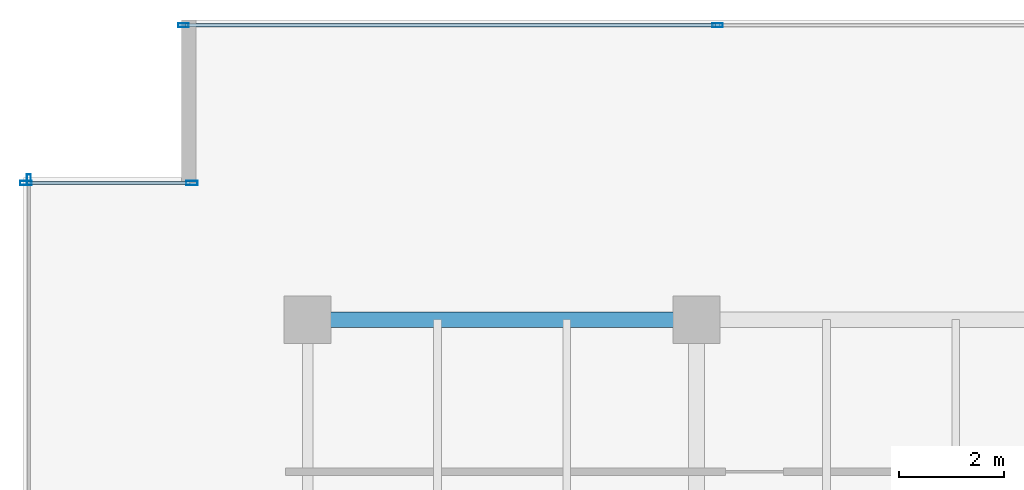
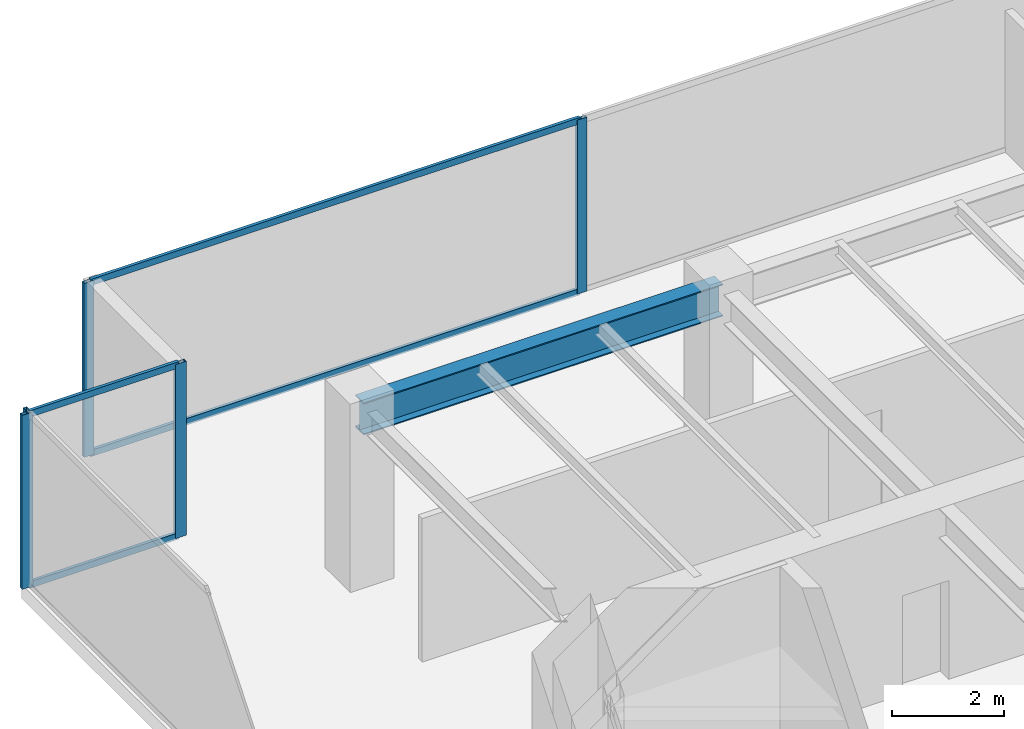
# One storey, part 14 of 30: 9 members, 1 beam, 3 elements without a shape of their own.
"""IFC4 building model written with IfcOpenShell, lengths in metres."""

from ifc_helpers import new_model, si_unit, direction, frame, origin, origin_2d, place, context, subcontext, project, spatial, hollow_rectangle, i_section, extrude, source, transform, mapped, material, layer, layer_set, material_profile, profile_set, type_object, type_shapes, element, aggregate, save


model = new_model("IFC4")

# Units and contexts
model_context = context("Model", 3, precision=1e-05, world=origin(), true_north=direction((0.0, 1.0)))
body_context = subcontext(model_context, "Body", "Model", "MODEL_VIEW")
ifc_project = project(units=[si_unit("LENGTHUNIT", "METRE"), si_unit("AREAUNIT", "SQUARE_METRE"), si_unit("VOLUMEUNIT", "CUBIC_METRE"), si_unit("PLANEANGLEUNIT", "RADIAN"), si_unit("MASSUNIT", "GRAM", prefix="KILO")], contexts=[model_context])

# Site, building, storey
site_placement = place(None, origin())
site = spatial("IfcSite", under=ifc_project, at=site_placement, CompositionType="ELEMENT")
building_placement = place(site_placement, origin())
building = spatial("IfcBuilding", under=site, at=building_placement, Name="Haelvirn Gate Laboratories", CompositionType="ELEMENT")
storey_placement = place(building_placement, frame((0.0, 0.0, 129.699951171875)))
storey = spatial("IfcBuildingStorey", under=building, at=storey_placement, Name="L31", CompositionType="ELEMENT", Elevation=129.699951171875)

# Beam
ifc_material_1 = material(Name="Steel SM355", Category="steel")
ifc_material_profile_1 = material_profile(ifc_material_1, i_section(OverallWidth=0.300048828125, OverallDepth=0.699951171875, WebThickness=0.012939453125, FlangeThickness=0.02392578125, at=origin_2d()), Name="H-700x300x13x24")
ifc_profile_set_1 = profile_set([ifc_material_profile_1], Name="Steel SM355")
beam_type = type_object("IfcBeamType", Name="BM-G-700", PredefinedType="BEAM", material=ifc_profile_set_1)
shared_shape_1 = source(origin(), body_context, "Body", "SweptSolid", [
    extrude(i_section(OverallWidth=0.300048828125, OverallDepth=0.699951171875, WebThickness=0.012939453125, FlangeThickness=0.02392578125, at=origin_2d()), origin(), (0.0, 0.0, 1.0), 7.400146484375),
])
type_shapes(beam_type, [shared_shape_1])
beam_placement = place(storey_placement, frame((7.39990234375, 41.60009765625, 3.43994140625), z_axis=(1.0, 0.0, 0.0), x_axis=(0.0, 1.0, 0.0)))
element("IfcBeam", 1, at=beam_placement, inside=storey, type_object=beam_type, Name="L31 Primary Girder Y41.6 (7.4-14.8)", PredefinedType="BEAM", context=body_context, shape_type="MappedRepresentation", body=[
    mapped(shared_shape_1, transform((0.0, 0.0, 0.0), scale=1.0)),
])

# Curtain wall, members
ifc_material_2 = material(Name="Anodised bronze unitised aluminium & triple low-E glass", Category="aluminium")
ifc_layer_1 = layer(ifc_material_2, 0.179931640625, Name="CW-SYS-3")
ifc_layer_set_1 = layer_set([ifc_layer_1], Name="Anodised bronze unitised aluminium & triple low-E glass")
curtain_wall_type_1 = type_object("IfcCurtainWallType", Name="CW-SYS-3", PredefinedType="NOTDEFINED", material=ifc_layer_set_1)
curtain_wall_1_placement = place(storey_placement, origin())
curtain_wall_1 = element("IfcCurtainWall", 2, at=curtain_wall_1_placement, inside=storey, type_object=curtain_wall_type_1, Name="L31 Unitised Curtain Wall CW-L31-P0-E14-1", PredefinedType="NOTDEFINED")
ifc_material_3 = material(Name="Extruded aluminium 6063-T6 (anodised bronze)", Category="aluminium")
ifc_material_profile_2 = material_profile(ifc_material_3, hollow_rectangle(XDim=0.06494140625, YDim=0.139892578125, WallThickness=0.00390625, at=origin_2d()), Name="CWT-140x65x4")
ifc_profile_set_2 = profile_set([ifc_material_profile_2], Name="Extruded aluminium 6063-T6 (anodised bronze)")
member_type_1 = type_object("IfcMemberType", Name="CWT-T140", PredefinedType="USERDEFINED", material=ifc_profile_set_2)
shared_shape_2 = source(origin(), body_context, "Body", "SweptSolid", [
    extrude(hollow_rectangle(XDim=0.06494140625, YDim=0.139892578125, WallThickness=0.00390625, at=origin_2d()), origin(), (0.0, 0.0, 1.0), 10.087646484375),
])
member_1_placement = place(storey_placement, frame((5.074951171875, 47.199951171875, 0.032470703125), z_axis=(1.0, 0.0, 0.0), x_axis=(0.0, 1.0, 0.0)))
member_1 = element("IfcMember", 3, at=member_1_placement, type_object=member_type_1, Name="CW3 transom 1.1", ObjectType="TRANSOM", PredefinedType="USERDEFINED", context=body_context, shape_type="MappedRepresentation", body=[
    mapped(shared_shape_2, transform((0.0, 0.0, 0.0), scale=1.0)),
])
member_2_placement = place(storey_placement, frame((5.074951171875, 47.199951171875, 3.757568359375), z_axis=(1.0, 0.0, 0.0), x_axis=(0.0, 1.0, 0.0)))
member_2 = element("IfcMember", 4, at=member_2_placement, type_object=member_type_1, Name="CW3 transom 1.2", ObjectType="TRANSOM", PredefinedType="USERDEFINED", context=body_context, shape_type="MappedRepresentation", body=[
    mapped(shared_shape_2, transform((0.0, 0.0, 0.0), scale=1.0)),
])

ifc_layer_2 = layer(ifc_material_2, 0.181884765625, Name="CW-SYS-5")
ifc_layer_set_2 = layer_set([ifc_layer_2], Name="Anodised bronze unitised aluminium & triple low-E glass")
curtain_wall_type_2 = type_object("IfcCurtainWallType", Name="CW-SYS-5", PredefinedType="NOTDEFINED", material=ifc_layer_set_2)
curtain_wall_2_placement = place(storey_placement, origin())
curtain_wall_2 = element("IfcCurtainWall", 5, at=curtain_wall_2_placement, inside=storey, type_object=curtain_wall_type_2, Name="L31 Unitised Curtain Wall CW-L31-P0-E16-1", PredefinedType="NOTDEFINED")
shared_shape_3 = source(origin(), body_context, "Body", "SweptSolid", [
    extrude(hollow_rectangle(XDim=0.06494140625, YDim=0.139892578125, WallThickness=0.00390625, at=origin_2d()), origin(), (0.0, 0.0, 1.0), 3.079833984375),
])
type_shapes(member_type_1, [shared_shape_2, shared_shape_3])
member_3_placement = place(storey_placement, frame((2.080078125, 44.199951171875, 0.032470703125), z_axis=(1.0, 0.0, 0.0), x_axis=(0.0, 1.0, 0.0)))
member_3 = element("IfcMember", 6, at=member_3_placement, type_object=member_type_1, Name="CW5 transom 1.1", ObjectType="TRANSOM", PredefinedType="USERDEFINED", context=body_context, shape_type="MappedRepresentation", body=[
    mapped(shared_shape_3, transform((0.0, 0.0, 0.0), scale=1.0)),
])
member_4_placement = place(storey_placement, frame((2.080078125, 44.199951171875, 3.757568359375), z_axis=(1.0, 0.0, 0.0), x_axis=(0.0, 1.0, 0.0)))
member_4 = element("IfcMember", 7, at=member_4_placement, type_object=member_type_1, Name="CW5 transom 1.2", ObjectType="TRANSOM", PredefinedType="USERDEFINED", context=body_context, shape_type="MappedRepresentation", body=[
    mapped(shared_shape_3, transform((0.0, 0.0, 0.0), scale=1.0)),
])

# Member
ifc_material_profile_3 = material_profile(ifc_material_3, hollow_rectangle(XDim=0.074951171875, YDim=0.199951171875, WallThickness=0.0048828125, at=origin_2d()), Name="CWM-200x75x5")
ifc_profile_set_3 = profile_set([ifc_material_profile_3], Name="Extruded aluminium 6063-T6 (anodised bronze)")
member_type_2 = type_object("IfcMemberType", Name="CWM-T200", PredefinedType="MULLION", material=ifc_profile_set_3)
shared_shape_4 = source(origin(), body_context, "Body", "SweptSolid", [
    extrude(hollow_rectangle(XDim=0.074951171875, YDim=0.199951171875, WallThickness=0.0048828125, at=origin_2d()), origin(), (0.0, 0.0, 1.0), 3.7900390625),
])
type_shapes(member_type_2, [shared_shape_4])
member_5_placement = place(storey_placement, frame((5.03759765625, 47.199951171875, 0.0), z_axis=(0.0, 0.0, 1.0), x_axis=(0.0, 1.0, 0.0)))
member_5 = element("IfcMember", 8, at=member_5_placement, type_object=member_type_2, Name="CW3 mullion 1", PredefinedType="MULLION", context=body_context, shape_type="MappedRepresentation", body=[
    mapped(shared_shape_4, transform((0.0, 0.0, 0.0), scale=1.0)),
])

member_6_placement = place(storey_placement, frame((15.199951171875, 47.199951171875, 0.0), z_axis=(0.0, 0.0, 1.0), x_axis=(0.0, 1.0, 0.0)))
member_6 = element("IfcMember", 9, at=member_6_placement, type_object=member_type_2, Name="CW3 mullion 2", PredefinedType="MULLION", context=body_context, shape_type="MappedRepresentation", body=[
    mapped(shared_shape_4, transform((0.0, 0.0, 0.0), scale=1.0)),
])

aggregate(curtain_wall_1, [member_5, member_6, member_1, member_2])

# Curtain wall, member
curtain_wall_3_placement = place(storey_placement, origin())
curtain_wall_3 = element("IfcCurtainWall", 10, at=curtain_wall_3_placement, inside=storey, type_object=curtain_wall_type_1, Name="L31 Unitised Curtain Wall CW-L31-P0-E17", PredefinedType="NOTDEFINED")
member_7_placement = place(storey_placement, frame((2.10009765625, 44.262451171875, 0.0), z_axis=(0.0, 0.0, 1.0), x_axis=(1.0, 0.0, 0.0)))
member_7 = element("IfcMember", 11, at=member_7_placement, type_object=member_type_2, Name="CW3 mullion 1", PredefinedType="MULLION", context=body_context, shape_type="MappedRepresentation", body=[
    mapped(shared_shape_4, transform((0.0, 0.0, 0.0), scale=1.0)),
])
aggregate(curtain_wall_3, [member_7])

# Member
ifc_material_profile_4 = material_profile(ifc_material_3, hollow_rectangle(XDim=0.080078125, YDim=0.219970703125, WallThickness=0.006103515625, at=origin_2d()), Name="CWM-220x80x6")
ifc_profile_set_4 = profile_set([ifc_material_profile_4], Name="Extruded aluminium 6063-T6 (anodised bronze)")
member_type_3 = type_object("IfcMemberType", Name="CWM-T220", PredefinedType="MULLION", material=ifc_profile_set_4)
shared_shape_5 = source(origin(), body_context, "Body", "SweptSolid", [
    extrude(hollow_rectangle(XDim=0.080078125, YDim=0.219970703125, WallThickness=0.006103515625, at=origin_2d()), origin(), (0.0, 0.0, 1.0), 3.7900390625),
])
type_shapes(member_type_3, [shared_shape_5])
member_8_placement = place(storey_placement, frame((2.0400390625, 44.199951171875, 0.0), z_axis=(0.0, 0.0, 1.0), x_axis=(0.0, 1.0, 0.0)))
member_8 = element("IfcMember", 12, at=member_8_placement, type_object=member_type_3, Name="CW5 mullion 1", PredefinedType="MULLION", context=body_context, shape_type="MappedRepresentation", body=[
    mapped(shared_shape_5, transform((0.0, 0.0, 0.0), scale=1.0)),
])

member_9_placement = place(storey_placement, frame((5.199951171875, 44.199951171875, 0.0), z_axis=(0.0, 0.0, 1.0), x_axis=(0.0, 1.0, 0.0)))
member_9 = element("IfcMember", 13, at=member_9_placement, type_object=member_type_3, Name="CW5 mullion 2", PredefinedType="MULLION", context=body_context, shape_type="MappedRepresentation", body=[
    mapped(shared_shape_5, transform((0.0, 0.0, 0.0), scale=1.0)),
])

aggregate(curtain_wall_2, [member_8, member_9, member_3, member_4])

save(model, "model.ifc")
